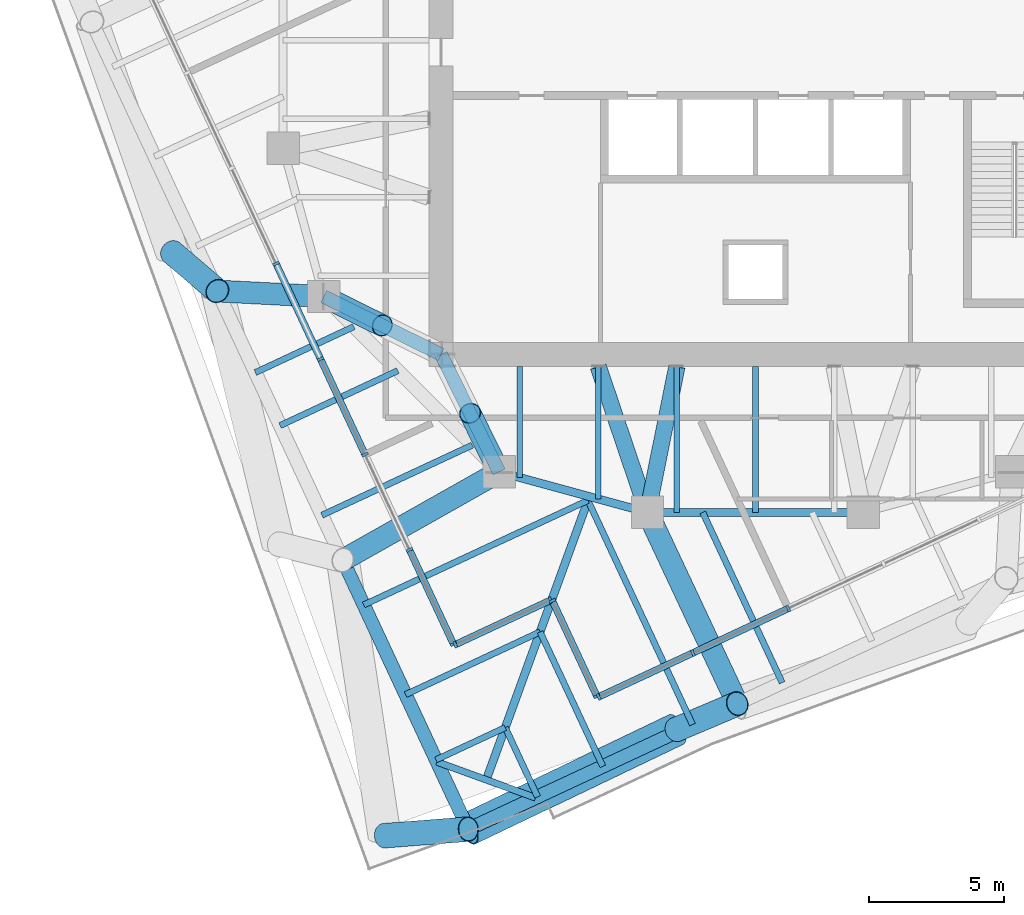
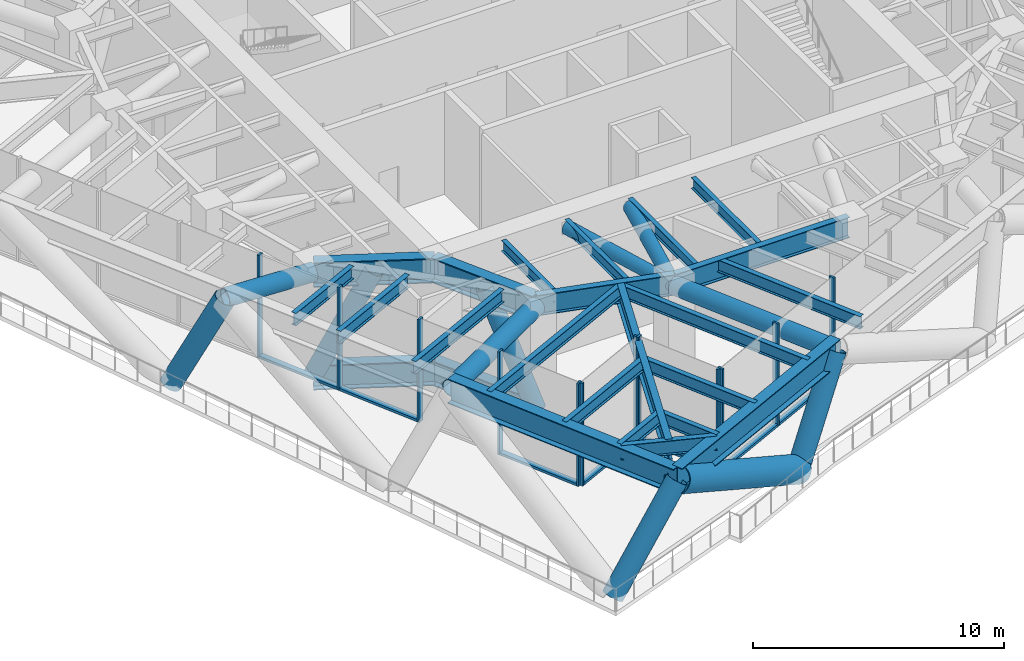
# One storey, part 2 of 16: 34 members, 20 beams, 4 elements without a shape of their own.
"""IFC4 building model written with IfcOpenShell, lengths in metres."""

from ifc_helpers import new_model, si_unit, direction, frame, origin, origin_2d, place, context, subcontext, project, spatial, rectangle, hollow_circle, i_section, extrude, material, material_profile, profile_set, type_object, element, aggregate, save


model = new_model("IFC4")

# Units and contexts
model_context = context("Model", 3, precision=1e-05, world=origin(), true_north=direction((0.0, 1.0)))
body_context = subcontext(model_context, "Body", "Model", "MODEL_VIEW")
ifc_project = project(units=[si_unit("LENGTHUNIT", "METRE"), si_unit("AREAUNIT", "SQUARE_METRE"), si_unit("VOLUMEUNIT", "CUBIC_METRE"), si_unit("PLANEANGLEUNIT", "RADIAN"), si_unit("MASSUNIT", "GRAM", prefix="KILO")], contexts=[model_context])

# Site, building, storey
site_placement = place(None, origin())
site = spatial("IfcSite", under=ifc_project, at=site_placement, CompositionType="ELEMENT")
building_placement = place(site_placement, origin())
building = spatial("IfcBuilding", under=site, at=building_placement, Name="Torsade Residences", CompositionType="ELEMENT")
storey_placement = place(building_placement, frame((0.0, 0.0, 171.0)))
storey = spatial("IfcBuildingStorey", under=building, at=storey_placement, Name="L47", CompositionType="ELEMENT", Elevation=171.0)

# Beams
ifc_material_1 = material(Name="Steel grade 300", Category="steel")
ifc_material_profile_1 = material_profile(ifc_material_1, i_section(OverallWidth=0.300048828125, OverallDepth=1.0, WebThickness=0.01611328125, FlangeThickness=0.028076171875, at=origin_2d()), Name="1000WB215")
ifc_profile_set_1 = profile_set([ifc_material_profile_1], Name="Steel grade 300")
beam_type_1 = type_object("IfcBeamType", Name="CORNER GIRDER 1000WB215", PredefinedType="BEAM", material=ifc_profile_set_1)
beam_1_placement = place(storey_placement, frame((30.02392578125, 2.5908203125, 4.35009765625), z_axis=(0.342015044723, 0.93969447651, 0.0), x_axis=(-0.93969447651, 0.342015044723, 0.0)))
element("IfcBeam", 1, at=beam_1_placement, inside=storey, type_object=beam_type_1, Name="Corner girder 01 L48", PredefinedType="BEAM", context=body_context, shape_type="SweptSolid", body=[
    extrude(i_section(OverallWidth=0.300048828125, OverallDepth=1.0, WebThickness=0.01611328125, FlangeThickness=0.028076171875, at=origin_2d()), origin(), (0.0, 0.0, 1.0), 11.170654296875),
])
ifc_material_2 = material(Name="Steel grade 300", Category="steel")
ifc_material_profile_2 = material_profile(ifc_material_2, i_section(OverallWidth=0.25, OverallDepth=0.699951171875, WebThickness=0.010009765625, FlangeThickness=0.02001953125, at=origin_2d()), Name="700WB130")
ifc_profile_set_2 = profile_set([ifc_material_profile_2], Name="Steel grade 300")
beam_type_2 = type_object("IfcBeamType", Name="CORNER TRIMMER 700WB130", PredefinedType="BEAM", material=ifc_profile_set_2)
beam_2_placement = place(storey_placement, frame((31.85107421875, 1.92578125, 4.5), z_axis=(-0.939698076972, 0.342005152204, 0.0), x_axis=(-0.342005152204, -0.939698076972, 0.0)))
element("IfcBeam", 2, at=beam_2_placement, inside=storey, type_object=beam_type_2, Name="Corner trimmer 01 L48", PredefinedType="BEAM", context=body_context, shape_type="SweptSolid", body=[
    extrude(i_section(OverallWidth=0.25, OverallDepth=0.699951171875, WebThickness=0.010009765625, FlangeThickness=0.02001953125, at=origin_2d()), origin(), (0.0, 0.0, 1.0), 3.88916015625),
])
ifc_material_3 = material(Name="Steel grade 300", Category="steel")
ifc_material_profile_3 = material_profile(ifc_material_3, i_section(OverallWidth=0.208984375, OverallDepth=0.528076171875, WebThickness=0.009521484375, FlangeThickness=0.01318359375, FilletRadius=0.013916015625, at=origin_2d()), Name="530UB82.0")
ifc_profile_set_3 = profile_set([ifc_material_profile_3], Name="Steel grade 300")
beam_type_3 = type_object("IfcBeamType", Name="INNER FLOOR BEAM 530UB82.0", PredefinedType="JOIST", material=ifc_profile_set_3)
for number, where, z_axis, x_axis, name in (
    (3, (40.0, 17.89990234375, 4.5859375), (0.0, -1.0, 0.0), (1.0, 0.0, 0.0), "Inner floor beam IS04 L48"),
    (4, (37.08740234375, 17.89990234375, 4.5859375), (0.0, -1.0, 0.0), (1.0, 0.0, 0.0), "Inner floor beam IS05 L48"),
):
    element("IfcBeam", number, at=place(storey_placement, frame(where, z_axis=z_axis, x_axis=x_axis)), inside=storey, type_object=beam_type_3, Name=name, PredefinedType="JOIST", context=body_context, shape_type="SweptSolid", body=[
        extrude(i_section(OverallWidth=0.208984375, OverallDepth=0.528076171875, WebThickness=0.009521484375, FlangeThickness=0.01318359375, FilletRadius=0.013916015625, at=origin_2d()), origin(), (0.0, 0.0, 1.0), 5.39990234375),
    ])
beam_3_placement = place(storey_placement, frame((34.175048828125, 17.89990234375, 4.5859375), z_axis=(0.0, -1.0, 0.0), x_axis=(1.0, 0.0, 0.0)))
element("IfcBeam", 5, at=beam_3_placement, inside=storey, type_object=beam_type_3, Name="Inner floor beam IS06 L48", PredefinedType="JOIST", context=body_context, shape_type="SweptSolid", body=[
    extrude(i_section(OverallWidth=0.208984375, OverallDepth=0.528076171875, WebThickness=0.009521484375, FlangeThickness=0.01318359375, FilletRadius=0.013916015625, at=origin_2d()), origin(), (0.0, 0.0, 1.0), 4.902099609375),
])
beam_4_placement = place(storey_placement, frame((31.262451171875, 17.89990234375, 4.5859375), z_axis=(0.0, -1.0, 0.0), x_axis=(1.0, 0.0, 0.0)))
element("IfcBeam", 6, at=beam_4_placement, inside=storey, type_object=beam_type_3, Name="Inner floor beam IS07 L48", PredefinedType="JOIST", context=body_context, shape_type="SweptSolid", body=[
    extrude(i_section(OverallWidth=0.208984375, OverallDepth=0.528076171875, WebThickness=0.009521484375, FlangeThickness=0.01318359375, FilletRadius=0.013916015625, at=origin_2d()), origin(), (0.0, 0.0, 1.0), 4.10791015625),
])

# Members
ifc_material_4 = material(Name="Steel grade 350", Category="steel")
ifc_material_profile_4 = material_profile(ifc_material_4, i_section(OverallWidth=0.5, OverallDepth=1.199951171875, WebThickness=0.031982421875, FlangeThickness=0.050048828125, at=origin_2d()), Name="1200x500x50x32WPG")
ifc_profile_set_4 = profile_set([ifc_material_profile_4], Name="Steel grade 350")
member_type_1 = type_object("IfcMemberType", Name="OUTRIGGER CHORD", PredefinedType="CHORD", material=ifc_profile_set_4)
for number, where, z_axis, x_axis, name in (
    (7, (28.35009765625, 18.35009765625, 4.25), (-0.896490509266, 0.443062937737, 0.0), (-0.443062937737, -0.896490509266, 0.0), "Outrigger IR11 top chord L47"),
    (8, (28.35009765625, 18.35009765625, -0.75), (-0.896490509266, 0.443062937737, 0.0), (-0.443062937737, -0.896490509266, 0.0), "Outrigger IR11 bottom chord L47"),
    (9, (28.35009765625, 18.35009765625, 4.25), (0.443062937737, -0.896490509266, 0.0), (0.896490509266, 0.443062937737, 0.0), "Outrigger IR12 top chord L47"),
    (10, (28.35009765625, 18.35009765625, -0.75), (0.443062937737, -0.896490509266, 0.0), (0.896490509266, 0.443062937737, 0.0), "Outrigger IR12 bottom chord L47"),
):
    element("IfcMember", number, at=place(storey_placement, frame(where, z_axis=z_axis, x_axis=x_axis)), inside=storey, type_object=member_type_1, Name=name, PredefinedType="CHORD", context=body_context, shape_type="SweptSolid", body=[
        extrude(i_section(OverallWidth=0.5, OverallDepth=1.199951171875, WebThickness=0.031982421875, FlangeThickness=0.050048828125, at=origin_2d()), origin(), (0.0, 0.0, 1.0), 4.852294921875),
    ])
ifc_material_5 = material(Name="Steel grade 450", Category="steel")
ifc_material_profile_5 = material_profile(ifc_material_5, hollow_circle(Radius=0.406494140625, WallThickness=0.02490234375, at=origin_2d()), Name="813.0x25.0CHS")
ifc_profile_set_5 = profile_set([ifc_material_profile_5], Name="Steel grade 450")
member_type_2 = type_object("IfcMemberType", Name="OUTRIGGER DIAGONAL", PredefinedType="BRACE", material=ifc_profile_set_5)
for number, where, z_axis, x_axis, name in (
    (11, (24.0, 20.5, -0.75), (0.391368316838, -0.193421786849, 0.899677082595), (0.443062937737, 0.896490509266, 0.0), "Outrigger IR11 diagonal 2 L47"),
    (12, (30.5, 14.0, -0.75), (-0.193421786849, 0.391368316838, 0.899677082595), (-0.896490509266, -0.443062937737, 0.0), "Outrigger IR12 diagonal 2 L47"),
):
    element("IfcMember", number, at=place(storey_placement, frame(where, z_axis=z_axis, x_axis=x_axis)), inside=storey, type_object=member_type_2, Name=name, PredefinedType="BRACE", context=body_context, shape_type="SweptSolid", body=[
        extrude(hollow_circle(Radius=0.406494140625, WallThickness=0.02490234375, at=origin_2d()), origin(), (0.0, 0.0, 1.0), 5.5576171875),
    ])

# Beams
ifc_material_6 = material(Name="Steel grade 300", Category="steel")
ifc_material_profile_6 = material_profile(ifc_material_6, i_section(OverallWidth=0.300048828125, OverallDepth=1.0, WebThickness=0.01611328125, FlangeThickness=0.028076171875, at=origin_2d()), Name="1000WB215")
ifc_profile_set_6 = profile_set([ifc_material_profile_6], Name="Steel grade 300")
beam_type_4 = type_object("IfcBeamType", Name="RING GIRDER 1000WB215", PredefinedType="BEAM", material=ifc_profile_set_6)
beam_5_placement = place(storey_placement, frame((30.5, 14.0, 4.35009765625), z_axis=(0.964763821238, -0.263117405792, 0.0), x_axis=(0.263117405792, 0.964763821238, 0.0)))
element("IfcBeam", 13, at=beam_5_placement, inside=storey, type_object=beam_type_4, Name="Ring girder IR12 L48", PredefinedType="BEAM", context=body_context, shape_type="SweptSolid", body=[
    extrude(i_section(OverallWidth=0.300048828125, OverallDepth=1.0, WebThickness=0.01611328125, FlangeThickness=0.028076171875, at=origin_2d()), origin(), (0.0, 0.0, 1.0), 5.700927734375),
])
beam_6_placement = place(storey_placement, frame((36.0, 12.5, 4.35009765625), z_axis=(1.0, 0.0, 0.0), x_axis=(0.0, 1.0, 0.0)))
element("IfcBeam", 14, at=beam_6_placement, inside=storey, type_object=beam_type_4, Name="Ring girder IR13 L48", PredefinedType="BEAM", context=body_context, shape_type="SweptSolid", body=[
    extrude(i_section(OverallWidth=0.300048828125, OverallDepth=1.0, WebThickness=0.01611328125, FlangeThickness=0.028076171875, at=origin_2d()), origin(), (0.0, 0.0, 1.0), 8.0),
])
ifc_material_7 = material(Name="Steel grade 300", Category="steel")
ifc_material_profile_7 = material_profile(ifc_material_7, i_section(OverallWidth=0.22900390625, OverallDepth=0.612060546875, WebThickness=0.011962890625, FlangeThickness=0.01953125, FilletRadius=0.013916015625, at=origin_2d()), Name="610UB125")
ifc_profile_set_7 = profile_set([ifc_material_profile_7], Name="Steel grade 300")
beam_type_5 = type_object("IfcBeamType", Name="SECONDARY BEAM 610UB125", PredefinedType="JOIST", material=ifc_profile_set_7)
beam_7_placement = place(storey_placement, frame((31.9267578125, 1.9609375, 4.5439453125), z_axis=(-0.422644877104, 0.906295375613, 0.0), x_axis=(-0.906295375613, -0.422644877104, 0.0)))
element("IfcBeam", 15, at=beam_7_placement, inside=storey, type_object=beam_type_5, Name="Floor beam FS01 L48", PredefinedType="JOIST", context=body_context, shape_type="SweptSolid", body=[
    extrude(i_section(OverallWidth=0.22900390625, OverallDepth=0.612060546875, WebThickness=0.011962890625, FlangeThickness=0.01953125, FilletRadius=0.013916015625, at=origin_2d()), origin(), (0.0, 0.0, 1.0), 2.833251953125),
])
beam_8_placement = place(storey_placement, frame((34.343505859375, 3.088134765625, 4.5439453125), z_axis=(-0.422632720171, 0.90630104482, 0.0), x_axis=(-0.90630104482, -0.422632720171, 0.0)))
element("IfcBeam", 16, at=beam_8_placement, inside=storey, type_object=beam_type_5, Name="Floor beam FS02 L48", PredefinedType="JOIST", context=body_context, shape_type="SweptSolid", body=[
    extrude(i_section(OverallWidth=0.22900390625, OverallDepth=0.612060546875, WebThickness=0.011962890625, FlangeThickness=0.01953125, FilletRadius=0.013916015625, at=origin_2d()), origin(), (0.0, 0.0, 1.0), 5.5),
])
beam_9_placement = place(storey_placement, frame((37.666748046875, 4.6376953125, 4.5439453125), z_axis=(-0.422618627092, 0.90630761667, 0.0), x_axis=(-0.90630761667, -0.422618627092, 0.0)))
element("IfcBeam", 17, at=beam_9_placement, inside=storey, type_object=beam_type_5, Name="Floor beam FS03 L48", PredefinedType="JOIST", context=body_context, shape_type="SweptSolid", body=[
    extrude(i_section(OverallWidth=0.22900390625, OverallDepth=0.612060546875, WebThickness=0.011962890625, FlangeThickness=0.01953125, FilletRadius=0.013916015625, at=origin_2d()), origin(), (0.0, 0.0, 1.0), 9.166748046875),
])
beam_10_placement = place(storey_placement, frame((40.98974609375, 6.187255859375, 4.5439453125), z_axis=(-0.422609131726, 0.906312044376, 0.0), x_axis=(-0.906312044376, -0.422609131726, 0.0)))
element("IfcBeam", 18, at=beam_10_placement, inside=storey, type_object=beam_type_5, Name="Floor beam FS04 L48", PredefinedType="JOIST", context=body_context, shape_type="SweptSolid", body=[
    extrude(i_section(OverallWidth=0.22900390625, OverallDepth=0.612060546875, WebThickness=0.011962890625, FlangeThickness=0.01953125, FilletRadius=0.013916015625, at=origin_2d()), origin(), (0.0, 0.0, 1.0), 6.96533203125),
])
beam_11_placement = place(storey_placement, frame((21.469970703125, 17.681396484375, 4.5439453125), z_axis=(0.906310173615, 0.42261314367, 0.0), x_axis=(-0.42261314367, 0.906310173615, 0.0)))
element("IfcBeam", 19, at=beam_11_placement, inside=storey, type_object=beam_type_5, Name="Floor beam FW07 L48", PredefinedType="JOIST", context=body_context, shape_type="SweptSolid", body=[
    extrude(i_section(OverallWidth=0.22900390625, OverallDepth=0.612060546875, WebThickness=0.011962890625, FlangeThickness=0.01953125, FilletRadius=0.013916015625, at=origin_2d()), origin(), (0.0, 0.0, 1.0), 4.02490234375),
])
beam_12_placement = place(storey_placement, frame((22.3857421875, 15.7177734375, 4.5439453125), z_axis=(0.906307500203, 0.422618876857, 0.0), x_axis=(-0.422618876857, 0.906307500203, 0.0)))
element("IfcBeam", 20, at=beam_12_placement, inside=storey, type_object=beam_type_5, Name="Floor beam FW08 L48", PredefinedType="JOIST", context=body_context, shape_type="SweptSolid", body=[
    extrude(i_section(OverallWidth=0.22900390625, OverallDepth=0.612060546875, WebThickness=0.011962890625, FlangeThickness=0.01953125, FilletRadius=0.013916015625, at=origin_2d()), origin(), (0.0, 0.0, 1.0), 4.813232421875),
])
beam_13_placement = place(storey_placement, frame((23.935302734375, 12.39453125, 4.5439453125), z_axis=(0.906293692233, 0.42264848683, 0.0), x_axis=(-0.42264848683, 0.906293692233, 0.0)))
element("IfcBeam", 21, at=beam_13_placement, inside=storey, type_object=beam_type_5, Name="Floor beam FW09 L48", PredefinedType="JOIST", context=body_context, shape_type="SweptSolid", body=[
    extrude(i_section(OverallWidth=0.22900390625, OverallDepth=0.612060546875, WebThickness=0.011962890625, FlangeThickness=0.01953125, FilletRadius=0.013916015625, at=origin_2d()), origin(), (0.0, 0.0, 1.0), 6.14794921875),
])
beam_14_placement = place(storey_placement, frame((25.48486328125, 9.071533203125, 4.5439453125), z_axis=(0.90630761667, 0.422618627092, 0.0), x_axis=(-0.422618627092, 0.90630761667, 0.0)))
element("IfcBeam", 22, at=beam_14_placement, inside=storey, type_object=beam_type_5, Name="Floor beam FW10 L48", PredefinedType="JOIST", context=body_context, shape_type="SweptSolid", body=[
    extrude(i_section(OverallWidth=0.22900390625, OverallDepth=0.612060546875, WebThickness=0.011962890625, FlangeThickness=0.01953125, FilletRadius=0.013916015625, at=origin_2d()), origin(), (0.0, 0.0, 1.0), 9.166748046875),
])
beam_15_placement = place(storey_placement, frame((27.034423828125, 5.748291015625, 4.5439453125), z_axis=(0.90630104482, 0.422632720171, 0.0), x_axis=(-0.422632720171, 0.90630104482, 0.0)))
element("IfcBeam", 23, at=beam_15_placement, inside=storey, type_object=beam_type_5, Name="Floor beam FW11 L48", PredefinedType="JOIST", context=body_context, shape_type="SweptSolid", body=[
    extrude(i_section(OverallWidth=0.22900390625, OverallDepth=0.612060546875, WebThickness=0.011962890625, FlangeThickness=0.01953125, FilletRadius=0.013916015625, at=origin_2d()), origin(), (0.0, 0.0, 1.0), 5.5),
])
beam_16_placement = place(storey_placement, frame((28.161376953125, 3.33154296875, 4.5439453125), z_axis=(0.906328379221, 0.42257409885, 0.0), x_axis=(-0.42257409885, 0.906328379221, 0.0)))
element("IfcBeam", 24, at=beam_16_placement, inside=storey, type_object=beam_type_5, Name="Floor beam FW12 L48", PredefinedType="JOIST", context=body_context, shape_type="SweptSolid", body=[
    extrude(i_section(OverallWidth=0.22900390625, OverallDepth=0.612060546875, WebThickness=0.011962890625, FlangeThickness=0.01953125, FilletRadius=0.013916015625, at=origin_2d()), origin(), (0.0, 0.0, 1.0), 2.833251953125),
])

# Members
ifc_material_8 = material(Name="Steel grade 450", Category="steel")
ifc_material_profile_8 = material_profile(ifc_material_8, hollow_circle(Radius=0.304931640625, WallThickness=0.01611328125, at=origin_2d()), Name="610.0x16.0CHS")
ifc_profile_set_8 = profile_set([ifc_material_profile_8], Name="Steel grade 450")
member_type_3 = type_object("IfcMemberType", Name="TRANSFER FLOOR BRACE 610.0x16.0CHS", PredefinedType="BRACE", material=ifc_profile_set_8)
member_1_placement = place(storey_placement, frame((36.0, 12.5, 4.25), z_axis=(0.197299045909, 0.97976207845, 0.03375434957), x_axis=(-0.980320704809, 0.197411538983, 0.0)))
element("IfcMember", 25, at=member_1_placement, inside=storey, type_object=member_type_3, Name="Transfer floor brace TT5 top IR13IS05", PredefinedType="BRACE", context=body_context, shape_type="SweptSolid", body=[
    extrude(hollow_circle(Radius=0.304931640625, WallThickness=0.01611328125, at=origin_2d()), origin(), (0.0, 0.0, 1.0), 5.511474609375),
])
member_2_placement = place(storey_placement, frame((36.0, 12.5, 4.25), z_axis=(-0.319999474368, 0.946855969774, 0.032620682203), x_axis=(-0.947360151124, -0.320169867513, 0.0)))
element("IfcMember", 26, at=member_2_placement, inside=storey, type_object=member_type_3, Name="Transfer floor brace TT5 top IR13IS06", PredefinedType="BRACE", context=body_context, shape_type="SweptSolid", body=[
    extrude(hollow_circle(Radius=0.304931640625, WallThickness=0.01611328125, at=origin_2d()), origin(), (0.0, 0.0, 1.0), 5.702880859375),
])
ifc_material_9 = material(Name="Steel grade 450", Category="steel")
ifc_material_profile_9 = material_profile(ifc_material_9, hollow_circle(Radius=0.406494140625, WallThickness=0.02490234375, at=origin_2d()), Name="813.0x25.0CHS")
ifc_profile_set_9 = profile_set([ifc_material_profile_9], Name="Steel grade 450")
member_type_4 = type_object("IfcMemberType", Name="TRANSFER FLOOR STRUT 813.0x25.0CHS", PredefinedType="STRUT", material=ifc_profile_set_9)
member_3_placement = place(storey_placement, frame((39.328125, 5.412353515625, 4.25), z_axis=(-0.425040097929, 0.905174521931, 0.0), x_axis=(-0.905174521931, -0.425040097929, 0.0)))
element("IfcMember", 27, at=member_3_placement, inside=storey, type_object=member_type_4, Name="Transfer floor strut TT5 top 02IR13", PredefinedType="STRUT", context=body_context, shape_type="SweptSolid", body=[
    extrude(hollow_circle(Radius=0.406494140625, WallThickness=0.02490234375, at=origin_2d()), origin(), (0.0, 0.0, 1.0), 7.830078125),
])
member_4_placement = place(storey_placement, frame((20.061279296875, 20.702392578125, 4.25), z_axis=(0.998682381191, -0.051317652886, 0.0), x_axis=(0.051317652886, 0.998682381191, 0.0)))
element("IfcMember", 28, at=member_4_placement, inside=storey, type_object=member_type_4, Name="Transfer floor strut TT5 top 15IR11", PredefinedType="STRUT", context=body_context, shape_type="SweptSolid", body=[
    extrude(hollow_circle(Radius=0.406494140625, WallThickness=0.02490234375, at=origin_2d()), origin(), (0.0, 0.0, 1.0), 3.94384765625),
])
member_5_placement = place(storey_placement, frame((24.7099609375, 10.73291015625, 4.25), z_axis=(0.870919631641, 0.491425472703, 0.0), x_axis=(-0.491425472703, 0.870919631641, 0.0)))
element("IfcMember", 29, at=member_5_placement, inside=storey, type_object=member_type_4, Name="Transfer floor strut TT5 top 16IR12", PredefinedType="STRUT", context=body_context, shape_type="SweptSolid", body=[
    extrude(hollow_circle(Radius=0.406494140625, WallThickness=0.02490234375, at=origin_2d()), origin(), (0.0, 0.0, 1.0), 6.648193359375),
])

# Curtain wall, members
ifc_material_10 = material(Name="Aluminium and glass", Category="aluminium")
curtain_wall_type = type_object("IfcCurtainWallType", Name="TRANSFER LEVEL CURTAIN WALL LOW ZONE", PredefinedType="NOTDEFINED", material=ifc_material_10)
curtain_wall_1_placement = place(storey_placement, origin())
curtain_wall_1 = element("IfcCurtainWall", 30, at=curtain_wall_1_placement, inside=storey, type_object=curtain_wall_type, Name="Curtain wall L47 face 1", PredefinedType="NOTDEFINED")
ifc_material_11 = material(Name="Aluminium mullion", Category="aluminium")
ifc_material_profile_10 = material_profile(ifc_material_11, rectangle(XDim=0.25, YDim=0.10009765625, at=origin_2d()), Name="TRANSFER LEVEL CURTAIN WALL MULLION 250x100")
ifc_profile_set_10 = profile_set([ifc_material_profile_10], Name="Aluminium mullion")
member_type_5 = type_object("IfcMemberType", Name="TRANSFER LEVEL CURTAIN WALL MULLION 250x100", PredefinedType="MULLION", material=ifc_profile_set_10)
member_6_placement = place(storey_placement, frame((34.190185546875, 5.66455078125, 0.0), z_axis=(0.0, 0.0, 1.0), x_axis=(-0.42261826734, 0.906307784426, 0.0)))
member_6 = element("IfcMember", 31, at=member_6_placement, type_object=member_type_5, Name="Mullion 1", PredefinedType="MULLION", context=body_context, shape_type="SweptSolid", body=[
    extrude(rectangle(XDim=0.25, YDim=0.10009765625, at=origin_2d()), origin(), (0.0, 0.0, 1.0), 5.0),
])
member_7_placement = place(storey_placement, frame((37.679443359375, 7.291748046875, 0.0), z_axis=(0.0, 0.0, 1.0), x_axis=(-0.42261826734, 0.906307784426, 0.0)))
member_7 = element("IfcMember", 32, at=member_7_placement, type_object=member_type_5, Name="Mullion 2", PredefinedType="MULLION", context=body_context, shape_type="SweptSolid", body=[
    extrude(rectangle(XDim=0.25, YDim=0.10009765625, at=origin_2d()), origin(), (0.0, 0.0, 1.0), 5.0),
])
member_8_placement = place(storey_placement, frame((41.214111328125, 8.93994140625, 0.0), z_axis=(0.0, 0.0, 1.0), x_axis=(-0.42261826734, 0.906307784426, 0.0)))
member_8 = element("IfcMember", 33, at=member_8_placement, type_object=member_type_5, Name="Mullion 3", PredefinedType="MULLION", context=body_context, shape_type="SweptSolid", body=[
    extrude(rectangle(XDim=0.25, YDim=0.10009765625, at=origin_2d()), origin(), (0.0, 0.0, 1.0), 5.0),
])

curtain_wall_2_placement = place(storey_placement, origin())
curtain_wall_2 = element("IfcCurtainWall", 34, at=curtain_wall_2_placement, inside=storey, type_object=curtain_wall_type, Name="Curtain wall L47 face 10", PredefinedType="NOTDEFINED")
member_9_placement = place(storey_placement, frame((22.236328125, 21.716796875, 0.0), z_axis=(0.0, 0.0, 1.0), x_axis=(0.906307784426, 0.42261826734, 0.0)))
member_9 = element("IfcMember", 35, at=member_9_placement, type_object=member_type_5, Name="Mullion 5", PredefinedType="MULLION", context=body_context, shape_type="SweptSolid", body=[
    extrude(rectangle(XDim=0.25, YDim=0.10009765625, at=origin_2d()), origin(), (0.0, 0.0, 1.0), 5.0),
])
member_10_placement = place(storey_placement, frame((23.884521484375, 18.18212890625, 0.0), z_axis=(0.0, 0.0, 1.0), x_axis=(0.906307784426, 0.42261826734, 0.0)))
member_10 = element("IfcMember", 36, at=member_10_placement, type_object=member_type_5, Name="Mullion 6", PredefinedType="MULLION", context=body_context, shape_type="SweptSolid", body=[
    extrude(rectangle(XDim=0.25, YDim=0.10009765625, at=origin_2d()), origin(), (0.0, 0.0, 1.0), 5.0),
])
member_11_placement = place(storey_placement, frame((25.53271484375, 14.6474609375, 0.0), z_axis=(0.0, 0.0, 1.0), x_axis=(0.906307784426, 0.42261826734, 0.0)))
member_11 = element("IfcMember", 37, at=member_11_placement, type_object=member_type_5, Name="Mullion 7", PredefinedType="MULLION", context=body_context, shape_type="SweptSolid", body=[
    extrude(rectangle(XDim=0.25, YDim=0.10009765625, at=origin_2d()), origin(), (0.0, 0.0, 1.0), 5.0),
])
member_12_placement = place(storey_placement, frame((27.180908203125, 11.11279296875, 0.0), z_axis=(0.0, 0.0, 1.0), x_axis=(0.906307784426, 0.42261826734, 0.0)))
member_12 = element("IfcMember", 38, at=member_12_placement, type_object=member_type_5, Name="Mullion 8", PredefinedType="MULLION", context=body_context, shape_type="SweptSolid", body=[
    extrude(rectangle(XDim=0.25, YDim=0.10009765625, at=origin_2d()), origin(), (0.0, 0.0, 1.0), 5.0),
])
member_13_placement = place(storey_placement, frame((28.80810546875, 7.62353515625, 0.0), z_axis=(0.0, 0.0, 1.0), x_axis=(0.906307784426, 0.42261826734, 0.0)))
member_13 = element("IfcMember", 39, at=member_13_placement, type_object=member_type_5, Name="Mullion 9", PredefinedType="MULLION", context=body_context, shape_type="SweptSolid", body=[
    extrude(rectangle(XDim=0.25, YDim=0.10009765625, at=origin_2d()), origin(), (0.0, 0.0, 1.0), 5.0),
])

curtain_wall_3_placement = place(storey_placement, origin())
curtain_wall_3 = element("IfcCurtainWall", 40, at=curtain_wall_3_placement, inside=storey, type_object=curtain_wall_type, Name="Curtain wall L47 face 11", PredefinedType="NOTDEFINED")
member_14_placement = place(storey_placement, frame((28.87451171875, 7.599365234375, 0.0), z_axis=(0.0, 0.0, 1.0), x_axis=(-0.42261826628, 0.90630778492, 0.0)))
member_14 = element("IfcMember", 41, at=member_14_placement, type_object=member_type_5, Name="Mullion 1", PredefinedType="MULLION", context=body_context, shape_type="SweptSolid", body=[
    extrude(rectangle(XDim=0.25, YDim=0.10009765625, at=origin_2d()), origin(), (0.0, 0.0, 1.0), 5.0),
])
member_15_placement = place(storey_placement, frame((32.4091796875, 9.24755859375, 0.0), z_axis=(0.0, 0.0, 1.0), x_axis=(-0.42261826628, 0.90630778492, 0.0)))
member_15 = element("IfcMember", 42, at=member_15_placement, type_object=member_type_5, Name="Mullion 2", PredefinedType="MULLION", context=body_context, shape_type="SweptSolid", body=[
    extrude(rectangle(XDim=0.25, YDim=0.10009765625, at=origin_2d()), origin(), (0.0, 0.0, 1.0), 5.0),
])

curtain_wall_4_placement = place(storey_placement, origin())
curtain_wall_4 = element("IfcCurtainWall", 43, at=curtain_wall_4_placement, inside=storey, type_object=curtain_wall_type, Name="Curtain wall L47 face 12", PredefinedType="NOTDEFINED")
member_16_placement = place(storey_placement, frame((32.4755859375, 9.223388671875, 0.0), z_axis=(0.0, 0.0, 1.0), x_axis=(0.906307829567, 0.422618170534, 0.0)))
member_16 = element("IfcMember", 44, at=member_16_placement, type_object=member_type_5, Name="Mullion 1", PredefinedType="MULLION", context=body_context, shape_type="SweptSolid", body=[
    extrude(rectangle(XDim=0.25, YDim=0.10009765625, at=origin_2d()), origin(), (0.0, 0.0, 1.0), 5.0),
])
member_17_placement = place(storey_placement, frame((34.123779296875, 5.688720703125, 0.0), z_axis=(0.0, 0.0, 1.0), x_axis=(0.906307829567, 0.422618170534, 0.0)))
member_17 = element("IfcMember", 45, at=member_17_placement, type_object=member_type_5, Name="Mullion 2", PredefinedType="MULLION", context=body_context, shape_type="SweptSolid", body=[
    extrude(rectangle(XDim=0.25, YDim=0.10009765625, at=origin_2d()), origin(), (0.0, 0.0, 1.0), 5.0),
])

# Member
ifc_material_12 = material(Name="Aluminium transom", Category="aluminium")
ifc_material_profile_11 = material_profile(ifc_material_12, rectangle(XDim=0.25, YDim=0.1201171875, at=origin_2d()), Name="TRANSFER LEVEL CURTAIN WALL TRANSOM 250x120")
ifc_profile_set_11 = profile_set([ifc_material_profile_11], Name="Aluminium transom")
member_type_6 = type_object("IfcMemberType", Name="TRANSFER LEVEL CURTAIN WALL TRANSOM 250x120", PredefinedType="USERDEFINED", material=ifc_profile_set_11)
member_18_placement = place(storey_placement, frame((34.235595703125, 5.685791015625, 0.06005859375), z_axis=(0.906319479626, 0.422593185996, 0.0), x_axis=(-0.422593185996, 0.906319479626, 0.0)))
member_18 = element("IfcMember", 46, at=member_18_placement, type_object=member_type_6, Name="Transom 1.1", ObjectType="TRANSOM", PredefinedType="USERDEFINED", context=body_context, shape_type="SweptSolid", body=[
    extrude(rectangle(XDim=0.25, YDim=0.1201171875, at=origin_2d()), origin(), (0.0, 0.0, 1.0), 3.75),
])

member_19_placement = place(storey_placement, frame((37.724853515625, 7.312744140625, 0.06005859375), z_axis=(0.906301285889, 0.422632203217, 0.0), x_axis=(-0.422632203217, 0.906301285889, 0.0)))
member_19 = element("IfcMember", 47, at=member_19_placement, type_object=member_type_6, Name="Transom 2.1", ObjectType="TRANSOM", PredefinedType="USERDEFINED", context=body_context, shape_type="SweptSolid", body=[
    extrude(rectangle(XDim=0.25, YDim=0.1201171875, at=origin_2d()), origin(), (0.0, 0.0, 1.0), 3.7998046875),
])

aggregate(curtain_wall_1, [member_6, member_7, member_8, member_18, member_19])

member_20_placement = place(storey_placement, frame((22.257568359375, 21.67138671875, 0.06005859375), z_axis=(0.422607594931, -0.906312760975, 0.0), x_axis=(0.906312760975, 0.422607594931, 0.0)))
member_20 = element("IfcMember", 48, at=member_20_placement, type_object=member_type_6, Name="Transom 5.1", ObjectType="TRANSOM", PredefinedType="USERDEFINED", context=body_context, shape_type="SweptSolid", body=[
    extrude(rectangle(XDim=0.25, YDim=0.1201171875, at=origin_2d()), origin(), (0.0, 0.0, 1.0), 3.800048828125),
])

member_21_placement = place(storey_placement, frame((23.90576171875, 18.13671875, 0.06005859375), z_axis=(0.422632203217, -0.906301285889, 0.0), x_axis=(0.906301285889, 0.422632203217, 0.0)))
member_21 = element("IfcMember", 49, at=member_21_placement, type_object=member_type_6, Name="Transom 6.1", ObjectType="TRANSOM", PredefinedType="USERDEFINED", context=body_context, shape_type="SweptSolid", body=[
    extrude(rectangle(XDim=0.25, YDim=0.1201171875, at=origin_2d()), origin(), (0.0, 0.0, 1.0), 3.7998046875),
])

member_22_placement = place(storey_placement, frame((27.2021484375, 11.067626953125, 0.06005859375), z_axis=(0.422593185996, -0.906319479626, 0.0), x_axis=(0.906319479626, 0.422593185996, 0.0)))
member_22 = element("IfcMember", 50, at=member_22_placement, type_object=member_type_6, Name="Transom 8.1", ObjectType="TRANSOM", PredefinedType="USERDEFINED", context=body_context, shape_type="SweptSolid", body=[
    extrude(rectangle(XDim=0.25, YDim=0.1201171875, at=origin_2d()), origin(), (0.0, 0.0, 1.0), 3.75),
])

aggregate(curtain_wall_2, [member_9, member_10, member_11, member_12, member_13, member_20, member_21, member_22])

member_23_placement = place(storey_placement, frame((28.919921875, 7.62060546875, 0.06005859375), z_axis=(0.906301285889, 0.422632203217, 0.0), x_axis=(-0.422632203217, 0.906301285889, 0.0)))
member_23 = element("IfcMember", 51, at=member_23_placement, type_object=member_type_6, Name="Transom 1.1", ObjectType="TRANSOM", PredefinedType="USERDEFINED", context=body_context, shape_type="SweptSolid", body=[
    extrude(rectangle(XDim=0.25, YDim=0.1201171875, at=origin_2d()), origin(), (0.0, 0.0, 1.0), 3.7998046875),
])

aggregate(curtain_wall_3, [member_14, member_15, member_23])

member_24_placement = place(storey_placement, frame((32.496826171875, 9.17822265625, 0.06005859375), z_axis=(0.42255482126, -0.906337367115, 0.0), x_axis=(0.906337367115, 0.42255482126, 0.0)))
member_24 = element("IfcMember", 52, at=member_24_placement, type_object=member_type_6, Name="Transom 1.1", ObjectType="TRANSOM", PredefinedType="USERDEFINED", context=body_context, shape_type="SweptSolid", body=[
    extrude(rectangle(XDim=0.25, YDim=0.1201171875, at=origin_2d()), origin(), (0.0, 0.0, 1.0), 3.800048828125),
])

aggregate(curtain_wall_4, [member_16, member_17, member_24])

# Beams
ifc_material_13 = material(Name="Steel grade 300", Category="steel")
ifc_material_profile_12 = material_profile(ifc_material_13, i_section(OverallWidth=0.5, OverallDepth=1.199951171875, WebThickness=0.01611328125, FlangeThickness=0.0400390625, at=origin_2d()), Name="1200WB455")
ifc_profile_set_12 = profile_set([ifc_material_profile_12], Name="Steel grade 300")
beam_type_6 = type_object("IfcBeamType", Name="TRANSFER TRUSS CHORD 1200WB455", PredefinedType="USERDEFINED", material=ifc_profile_set_12)
beam_17_placement = place(storey_placement, frame((29.35888671875, 0.763671875, 4.25), z_axis=(0.906309546032, 0.422614489543, 0.0), x_axis=(-0.422614489543, 0.906309546032, 0.0)))
element("IfcBeam", 53, at=beam_17_placement, inside=storey, type_object=beam_type_6, Name="Transfer truss TT5 top chord 01", ObjectType="TRANSFER TRUSS CHORD", PredefinedType="USERDEFINED", context=body_context, shape_type="SweptSolid", body=[
    extrude(i_section(OverallWidth=0.5, OverallDepth=1.199951171875, WebThickness=0.01611328125, FlangeThickness=0.0400390625, at=origin_2d()), origin(), (0.0, 0.0, 1.0), 10.999755859375),
])
beam_18_placement = place(storey_placement, frame((24.7099609375, 10.73291015625, 4.25), z_axis=(0.422632720171, -0.90630104482, 0.0), x_axis=(0.90630104482, 0.422632720171, 0.0)))
element("IfcBeam", 54, at=beam_18_placement, inside=storey, type_object=beam_type_6, Name="Transfer truss TT5 top chord 16", ObjectType="TRANSFER TRUSS CHORD", PredefinedType="USERDEFINED", context=body_context, shape_type="SweptSolid", body=[
    extrude(i_section(OverallWidth=0.5, OverallDepth=1.199951171875, WebThickness=0.01611328125, FlangeThickness=0.0400390625, at=origin_2d()), origin(), (0.0, 0.0, 1.0), 11.0),
])

# Members
ifc_material_14 = material(Name="Steel grade 450", Category="steel")
ifc_material_profile_13 = material_profile(ifc_material_14, hollow_circle(Radius=0.609619140625, WallThickness=0.0400390625, at=origin_2d()), Name="1219.0x40.0CHS")
ifc_profile_set_13 = profile_set([ifc_material_profile_13], Name="Steel grade 450")
member_type_7 = type_object("IfcMemberType", Name="TRANSFER TRUSS DIAGONAL 1219.0x40.0CHS", PredefinedType="BRACE", material=ifc_profile_set_13)
member_25_placement = place(storey_placement, frame((37.06005859375, 4.453857421875, -0.199951171875), z_axis=(-0.799746496256, -0.38321608835, 0.462115755365), x_axis=(0.432124055545, -0.901814171889, 0.0)))
element("IfcMember", 55, at=member_25_placement, inside=storey, type_object=member_type_7, Name="Transfer truss TT5 diagonal 01", PredefinedType="BRACE", context=body_context, shape_type="SweptSolid", body=[
    extrude(hollow_circle(Radius=0.609619140625, WallThickness=0.0400390625, at=origin_2d()), origin(), (0.0, 0.0, 1.0), 9.62939453125),
])
ifc_material_15 = material(Name="Steel grade 450", Category="steel")
ifc_material_profile_14 = material_profile(ifc_material_15, hollow_circle(Radius=0.45703125, WallThickness=0.028076171875, at=origin_2d()), Name="914.0x28.0CHS")
ifc_profile_set_14 = profile_set([ifc_material_profile_14], Name="Steel grade 450")
member_type_8 = type_object("IfcMemberType", Name="TRANSFER TRUSS RAKING STRUT 914.0x28.0CHS", PredefinedType="STRUT", material=ifc_profile_set_14)
member_26_placement = place(storey_placement, frame((26.25341796875, 0.5205078125, -0.199951171875), z_axis=(0.571713430351, 0.044766240301, 0.819231186714), x_axis=(-0.078062943292, 0.99694843241, 0.0)))
element("IfcMember", 56, at=member_26_placement, inside=storey, type_object=member_type_8, Name="Transfer truss TT5 raking strut 01", PredefinedType="STRUT", context=body_context, shape_type="SweptSolid", body=[
    extrude(hollow_circle(Radius=0.45703125, WallThickness=0.028076171875, at=origin_2d()), origin(), (0.0, 0.0, 1.0), 5.431884765625),
])
member_27_placement = place(storey_placement, frame((37.06005859375, 4.453857421875, -0.199951171875), z_axis=(0.445964530462, 0.188466818794, 0.874983368861), x_axis=(-0.389271218225, 0.921123183218, 0.0)))
element("IfcMember", 57, at=member_27_placement, inside=storey, type_object=member_type_8, Name="Transfer truss TT5 raking strut 02", PredefinedType="STRUT", context=body_context, shape_type="SweptSolid", body=[
    extrude(hollow_circle(Radius=0.45703125, WallThickness=0.028076171875, at=origin_2d()), origin(), (0.0, 0.0, 1.0), 5.085693359375),
])
member_28_placement = place(storey_placement, frame((18.386962890625, 22.133544921875, -0.199951171875), z_axis=(0.337207619019, -0.288234334017, 0.896220949526), x_axis=(0.649750160489, 0.760147833612, 0.0)))
element("IfcMember", 58, at=member_28_placement, inside=storey, type_object=member_type_8, Name="Transfer truss TT5 raking strut 15", PredefinedType="STRUT", context=body_context, shape_type="SweptSolid", body=[
    extrude(hollow_circle(Radius=0.45703125, WallThickness=0.028076171875, at=origin_2d()), origin(), (0.0, 0.0, 1.0), 4.96533203125),
])

save(model, "model.ifc")
